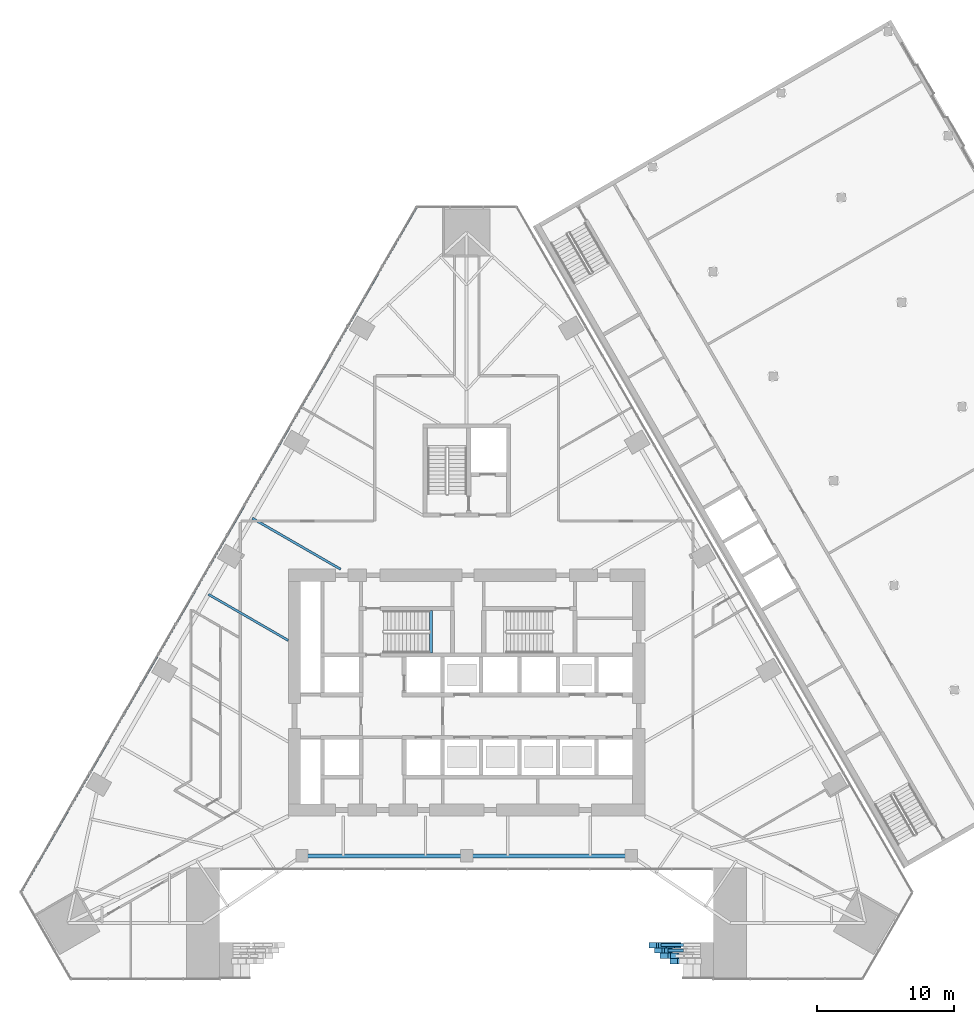
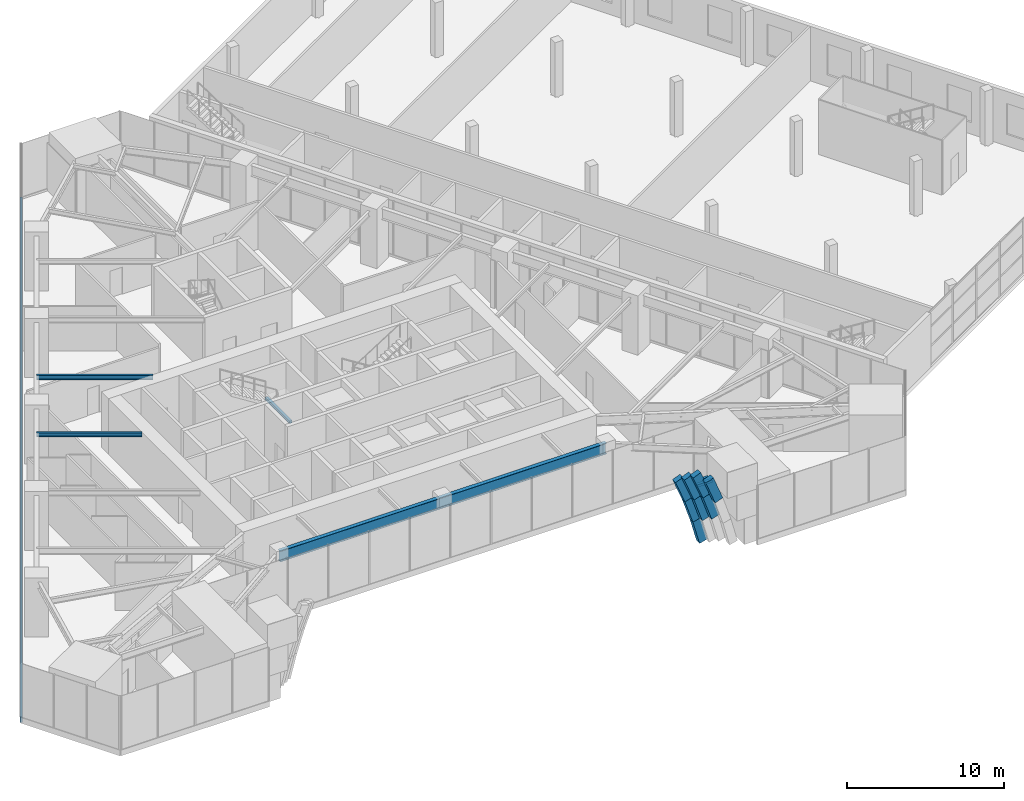
# One storey, part 5 of 29: 9 members, 6 beams, 1 element without a shape of its own.
"""IFC4 building model written with IfcOpenShell, lengths in metres."""

from ifc_helpers import new_model, si_unit, direction, frame, origin, origin_2d, place, context, subcontext, project, spatial, rectangle, i_section, extrude, material, layer, layer_set, material_profile, profile_set, type_object, element, aggregate, save


model = new_model("IFC4")

# Units and contexts
model_context = context("Model", 3, precision=1e-05, world=origin(), true_north=direction((0.0, 1.0)))
body_context = subcontext(model_context, "Body", "Model", "MODEL_VIEW")
ifc_project = project(units=[si_unit("LENGTHUNIT", "METRE"), si_unit("AREAUNIT", "SQUARE_METRE"), si_unit("VOLUMEUNIT", "CUBIC_METRE"), si_unit("PLANEANGLEUNIT", "RADIAN"), si_unit("MASSUNIT", "GRAM", prefix="KILO")], contexts=[model_context])

# Site, building, storey
site_placement = place(None, origin())
site = spatial("IfcSite", under=ifc_project, at=site_placement, CompositionType="ELEMENT")
building_placement = place(site_placement, origin())
building = spatial("IfcBuilding", under=site, at=building_placement, Name="Firuza Gate Tower and Library", CompositionType="ELEMENT")
storey_placement = place(building_placement, frame((0.0, 0.0, 8.0)))
storey = spatial("IfcBuildingStorey", under=building, at=storey_placement, Name="L01", CompositionType="ELEMENT", Elevation=8.0)

# Members
ifc_material_1 = material(Name="Concrete C60/75", Category="concrete")
ifc_material_profile_1 = material_profile(ifc_material_1, rectangle(XDim=0.39990234375, YDim=0.60009765625, at=origin_2d()))
ifc_profile_set_1 = profile_set([ifc_material_profile_1], Name="Concrete C60/75")
member_type_1 = type_object("IfcMemberType", Name="Arch rib 600x400", PredefinedType="USERDEFINED", material=ifc_profile_set_1)
member_1_placement = place(storey_placement, frame((90.086669921875, 55.415283203125, 5.025634765625), z_axis=(0.359415851139, 0.0, -0.933177499702), x_axis=(0.0, 1.0, 0.0)))
element("IfcMember", 1, at=member_1_placement, inside=storey, type_object=member_type_1, Name="Arch rib 1.32", ObjectType="ARCH RIB", PredefinedType="USERDEFINED", context=body_context, shape_type="SweptSolid", body=[
    extrude(rectangle(XDim=0.39990234375, YDim=0.60009765625, at=origin_2d()), origin(), (0.0, 0.0, 1.0), 1.91015625),
])
member_2_placement = place(storey_placement, frame((89.379150390625, 55.8154296875, 5.43115234375), z_axis=(0.375076378227, 0.0, -0.926993910712), x_axis=(0.0, 1.0, 0.0)))
element("IfcMember", 2, at=member_2_placement, inside=storey, type_object=member_type_1, Name="Arch rib 2.30", ObjectType="ARCH RIB", PredefinedType="USERDEFINED", context=body_context, shape_type="SweptSolid", body=[
    extrude(rectangle(XDim=0.39990234375, YDim=0.60009765625, at=origin_2d()), origin(), (0.0, 0.0, 1.0), 1.97412109375),
])
member_3_placement = place(storey_placement, frame((90.11962890625, 55.8154296875, 3.60107421875), z_axis=(0.319638494477, 0.0, -0.947539567959), x_axis=(0.0, 1.0, 0.0)))
element("IfcMember", 3, at=member_3_placement, inside=storey, type_object=member_type_1, Name="Arch rib 2.31", ObjectType="ARCH RIB", PredefinedType="USERDEFINED", context=body_context, shape_type="SweptSolid", body=[
    extrude(rectangle(XDim=0.39990234375, YDim=0.60009765625, at=origin_2d()), origin(), (0.0, 0.0, 1.0), 1.974365234375),
])
member_4_placement = place(storey_placement, frame((88.965576171875, 56.21533203125, 5.155029296875), z_axis=(0.371499568138, 0.0, -0.928433126764), x_axis=(0.0, 1.0, 0.0)))
element("IfcMember", 4, at=member_4_placement, inside=storey, type_object=member_type_1, Name="Arch rib 3.30", ObjectType="ARCH RIB", PredefinedType="USERDEFINED", context=body_context, shape_type="SweptSolid", body=[
    extrude(rectangle(XDim=0.39990234375, YDim=0.60009765625, at=origin_2d()), origin(), (0.0, 0.0, 1.0), 1.932861328125),
])
member_5_placement = place(storey_placement, frame((89.68359375, 56.21533203125, 3.360595703125), z_axis=(0.316455149855, 0.0, -0.948607473158), x_axis=(0.0, 1.0, 0.0)))
element("IfcMember", 5, at=member_5_placement, inside=storey, type_object=member_type_1, Name="Arch rib 3.31", ObjectType="ARCH RIB", PredefinedType="USERDEFINED", context=body_context, shape_type="SweptSolid", body=[
    extrude(rectangle(XDim=0.39990234375, YDim=0.60009765625, at=origin_2d()), origin(), (0.0, 0.0, 1.0), 1.9326171875),
])
for number, where, z_axis, x_axis, name in (
    (6, (88.552001953125, 56.615478515625, 4.87939453125), (0.36769264498, 0.0, -0.929947374225), (0.0, 1.0, 0.0), "Arch rib 4.30"),
    (7, (89.247314453125, 56.615478515625, 3.120849609375), (0.313321571992, 0.0, -0.94964708841), (0.0, 1.0, 0.0), "Arch rib 4.31"),
    (8, (89.83984375, 56.615478515625, 1.324951171875), (0.257815319019, 0.0, -0.966194215093), (0.0, 1.0, 0.0), "Arch rib 4.32"),
):
    element("IfcMember", number, at=place(storey_placement, frame(where, z_axis=z_axis, x_axis=x_axis)), inside=storey, type_object=member_type_1, Name=name, ObjectType="ARCH RIB", PredefinedType="USERDEFINED", context=body_context, shape_type="SweptSolid", body=[
        extrude(rectangle(XDim=0.39990234375, YDim=0.60009765625, at=origin_2d()), origin(), (0.0, 0.0, 1.0), 1.89111328125),
    ])

# Beams
ifc_material_2 = material(Name="Concrete C60/75", Category="concrete")
ifc_material_profile_2 = material_profile(ifc_material_2, rectangle(XDim=0.199951171875, YDim=0.199951171875, at=origin_2d()))
ifc_profile_set_2 = profile_set([ifc_material_profile_2], Name="Concrete C60/75")
beam_type_1 = type_object("IfcBeamType", Name="Arch rib bracket 200x200", PredefinedType="BEAM", material=ifc_profile_set_2)
beam_1_placement = place(storey_placement, frame((90.798583984375, 56.21533203125, 4.173095703125), z_axis=(-1.0, 0.0, 0.0), x_axis=(0.0, -1.0, 0.0)))
element("IfcBeam", 9, at=beam_1_placement, inside=storey, type_object=beam_type_1, Name="Arch rib bracket 3.30", PredefinedType="BEAM", context=body_context, shape_type="SweptSolid", body=[
    extrude(rectangle(XDim=0.199951171875, YDim=0.199951171875, at=origin_2d()), origin(), (0.0, 0.0, 1.0), 1.126953125),
])
beam_2_placement = place(storey_placement, frame((90.798583984375, 56.615478515625, 4.166015625), z_axis=(-1.0, 0.0, 0.0), x_axis=(0.0, -1.0, 0.0)))
element("IfcBeam", 10, at=beam_2_placement, inside=storey, type_object=beam_type_1, Name="Arch rib bracket 4.30", PredefinedType="BEAM", context=body_context, shape_type="SweptSolid", body=[
    extrude(rectangle(XDim=0.199951171875, YDim=0.199951171875, at=origin_2d()), origin(), (0.0, 0.0, 1.0), 1.65185546875),
])

# Curtain wall, member
ifc_material_3 = material(Name="Aluminium 6063-T6", Category="aluminium")
ifc_layer = layer(ifc_material_3, 0.14990234375)
ifc_layer_set = layer_set([ifc_layer], Name="Stick curtain wall, podium")
curtain_wall_type = type_object("IfcCurtainWallType", Name="Stick curtain wall, podium", PredefinedType="NOTDEFINED", material=ifc_layer_set)
curtain_wall_placement = place(storey_placement, origin())
curtain_wall = element("IfcCurtainWall", 11, at=curtain_wall_placement, inside=storey, type_object=curtain_wall_type, Name="CW5 L01 W", PredefinedType="NOTDEFINED")
ifc_material_4 = material(Name="Aluminium 6063-T6", Category="aluminium")
ifc_material_profile_3 = material_profile(ifc_material_4, rectangle(XDim=0.14990234375, YDim=0.449951171875, at=origin_2d()))
ifc_profile_set_3 = profile_set([ifc_material_profile_3], Name="Aluminium 6063-T6")
member_type_2 = type_object("IfcMemberType", Name="Curtain wall transom 450x150", PredefinedType="USERDEFINED", material=ifc_profile_set_3)
member_6_placement = place(storey_placement, frame((71.356689453125, 110.408935546875, -0.074951171875), z_axis=(-0.499998069382, -0.866026518424, 0.0), x_axis=(0.866026518424, -0.499998069382, 0.0)))
member_6 = element("IfcMember", 12, at=member_6_placement, type_object=member_type_2, Name="Transom", ObjectType="TRANSOM", PredefinedType="USERDEFINED", context=body_context, shape_type="SweptSolid", body=[
    extrude(rectangle(XDim=0.14990234375, YDim=0.449951171875, at=origin_2d()), origin(), (0.0, 0.0, 1.0), 57.686767578125),
])
aggregate(curtain_wall, [member_6])

# Beams
ifc_material_5 = material(Name="Concrete C35/45", Category="concrete")
ifc_material_profile_4 = material_profile(ifc_material_5, rectangle(XDim=0.199951171875, YDim=0.199951171875, at=origin_2d()))
ifc_profile_set_4 = profile_set([ifc_material_profile_4], Name="Concrete C35/45")
beam_type_2 = type_object("IfcBeamType", Name="Stair landing bearer 200x200", PredefinedType="BEAM", material=ifc_profile_set_4)
beam_3_placement = place(storey_placement, frame((72.39990234375, 77.89990234375, 2.0), z_axis=(0.0, 1.0, 0.0), x_axis=(-1.0, 0.0, 0.0)))
element("IfcBeam", 13, at=beam_3_placement, inside=storey, type_object=beam_type_2, Name="Landing bearer L01 stair 1", PredefinedType="BEAM", context=body_context, shape_type="SweptSolid", body=[
    extrude(rectangle(XDim=0.199951171875, YDim=0.199951171875, at=origin_2d()), origin(), (0.0, 0.0, 1.0), 3.080078125),
])
ifc_material_6 = material(Name="Steel S355", Category="steel")
ifc_material_profile_5 = material_profile(ifc_material_6, i_section(OverallWidth=0.1650390625, OverallDepth=0.31005859375, WebThickness=0.005859375, FlangeThickness=0.009765625, at=origin_2d()))
ifc_profile_set_5 = profile_set([ifc_material_profile_5], Name="Steel S355")
beam_type_3 = type_object("IfcBeamType", Name="W310x39 Floor beam", PredefinedType="JOIST", material=ifc_profile_set_5)
beam_4_placement = place(storey_placement, frame((56.179443359375, 82.171142578125, 4.14501953125), z_axis=(0.866019234261, -0.500010685776, 0.0), x_axis=(0.500010685776, 0.866019234261, 0.0)))
element("IfcBeam", 14, at=beam_4_placement, inside=storey, type_object=beam_type_3, Name="Floor beam L01 s103", PredefinedType="JOIST", context=body_context, shape_type="SweptSolid", body=[
    extrude(i_section(OverallWidth=0.1650390625, OverallDepth=0.31005859375, WebThickness=0.005859375, FlangeThickness=0.009765625, at=origin_2d()), origin(), (0.0, 0.0, 1.0), 6.720947265625),
])
ifc_material_7 = material(Name="Steel S355", Category="steel")
ifc_material_profile_6 = material_profile(ifc_material_7, i_section(OverallWidth=0.1708984375, OverallDepth=0.35498046875, WebThickness=0.007080078125, FlangeThickness=0.01171875, at=origin_2d()))
ifc_profile_set_6 = profile_set([ifc_material_profile_6], Name="Steel S355")
beam_type_4 = type_object("IfcBeamType", Name="W360x51 Floor beam", PredefinedType="JOIST", material=ifc_profile_set_6)
beam_5_placement = place(storey_placement, frame((59.37939453125, 87.713623046875, 4.12255859375), z_axis=(0.866023556141, -0.500003200199, 0.0), x_axis=(0.500003200199, 0.866023556141, 0.0)))
element("IfcBeam", 15, at=beam_5_placement, inside=storey, type_object=beam_type_4, Name="Floor beam L01 s102", PredefinedType="JOIST", context=body_context, shape_type="SweptSolid", body=[
    extrude(i_section(OverallWidth=0.1708984375, OverallDepth=0.35498046875, WebThickness=0.007080078125, FlangeThickness=0.01171875, at=origin_2d()), origin(), (0.0, 0.0, 1.0), 7.42724609375),
])
ifc_material_8 = material(Name="Steel S355", Category="steel")
ifc_material_profile_7 = material_profile(ifc_material_8, i_section(OverallWidth=0.2919921875, OverallDepth=0.8349609375, WebThickness=0.013916015625, FlangeThickness=0.018798828125, at=origin_2d()))
ifc_profile_set_7 = profile_set([ifc_material_profile_7], Name="Steel S355")
beam_type_5 = type_object("IfcBeamType", Name="W840x176 Edge beam", PredefinedType="SPANDREL", material=ifc_profile_set_7)
beam_6_placement = place(storey_placement, frame((63.0, 63.115478515625, 3.882568359375), z_axis=(1.0, 0.0, 0.0), x_axis=(0.0, 1.0, 0.0)))
element("IfcBeam", 16, at=beam_6_placement, inside=storey, type_object=beam_type_5, Name="Edge beam L01 e30", PredefinedType="SPANDREL", context=body_context, shape_type="SweptSolid", body=[
    extrude(i_section(OverallWidth=0.2919921875, OverallDepth=0.8349609375, WebThickness=0.013916015625, FlangeThickness=0.018798828125, at=origin_2d()), origin(), (0.0, 0.0, 1.0), 24.0),
])

save(model, "model.ifc")
